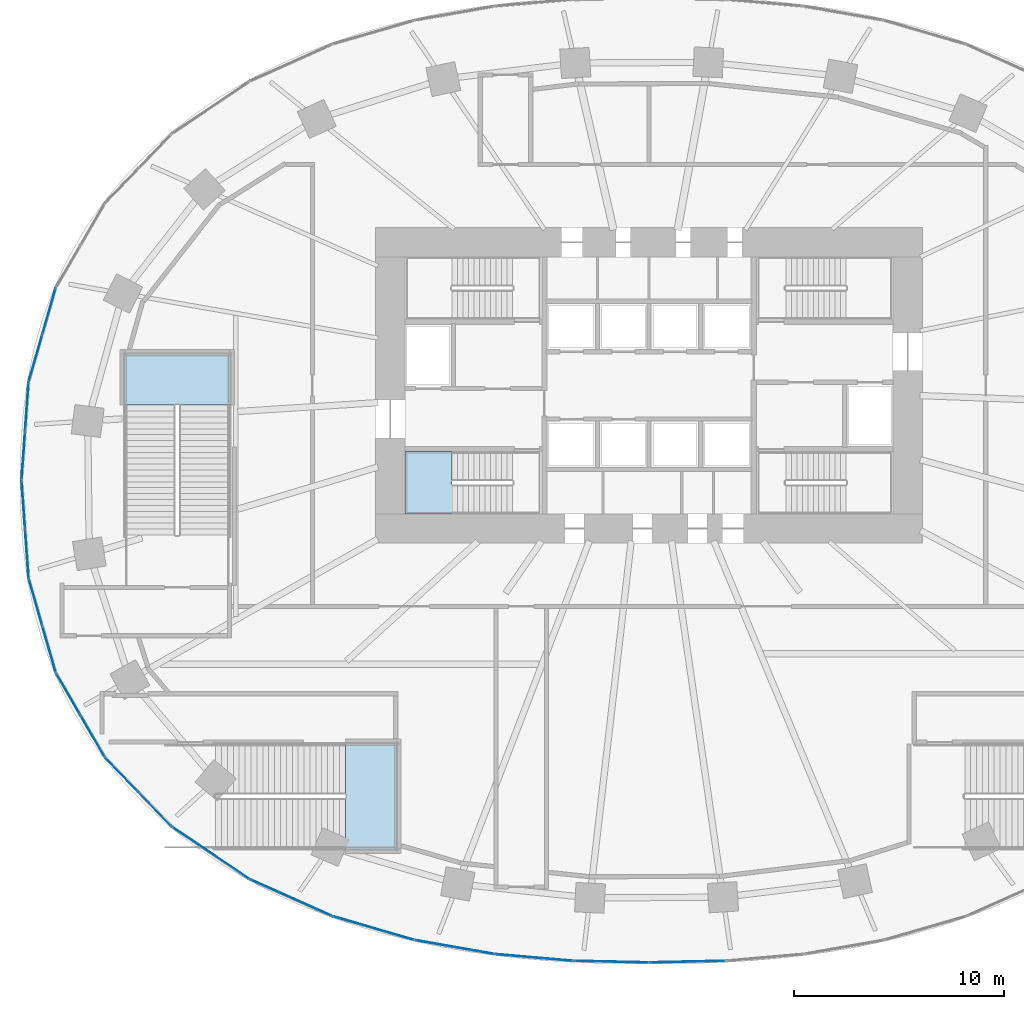
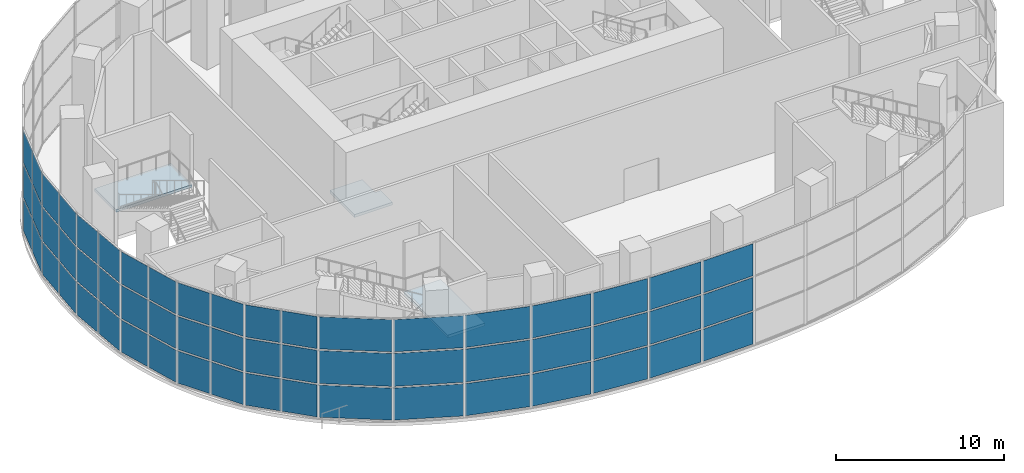
# One storey, part 10 of 22: 57 plates, 3 slabs, 16 elements without a shape of their own.
"""IFC4 building model written with IfcOpenShell, lengths in metres."""

from ifc_helpers import new_model, si_unit, direction, frame, origin, origin_2d, place, context, subcontext, project, spatial, polyline, rectangle, outline, extrude, material, layer, layer_set, type_object, element, aggregate, save


model = new_model("IFC4")

# Units and contexts
model_context = context("Model", 3, precision=1e-05, world=origin(), true_north=direction((0.0, 1.0)))
body_context = subcontext(model_context, "Body", "Model", "MODEL_VIEW")
ifc_project = project(units=[si_unit("LENGTHUNIT", "METRE"), si_unit("AREAUNIT", "SQUARE_METRE"), si_unit("VOLUMEUNIT", "CUBIC_METRE"), si_unit("PLANEANGLEUNIT", "RADIAN"), si_unit("MASSUNIT", "GRAM", prefix="KILO")], contexts=[model_context])

# Site, building, storey
site_placement = place(None, origin())
site = spatial("IfcSite", under=ifc_project, at=site_placement, CompositionType="ELEMENT")
building_placement = place(site_placement, origin())
building = spatial("IfcBuilding", under=site, at=building_placement, Name="Rubra Terraces Tower", CompositionType="ELEMENT")
storey_placement = place(building_placement, frame((0.0, 0.0, 15.0)))
storey = spatial("IfcBuildingStorey", under=building, at=storey_placement, Name="L02", CompositionType="ELEMENT", Elevation=15.0)

# Stair, slab
ifc_material_1 = material(Name="Concrete C40", Category="concrete")
stair_type_1 = type_object("IfcStairType", Name="Core stair 1400", PredefinedType="HALF_TURN_STAIR", material=ifc_material_1)
stair_1_placement = place(storey_placement, origin())
stair_1 = element("IfcStair", 1, at=stair_1_placement, inside=storey, type_object=stair_type_1, Name="L02 Exit stair S1", PredefinedType="HALF_TURN_STAIR")
ifc_layer_1 = layer(ifc_material_1, 0.199951171875)
ifc_layer_set_1 = layer_set([ifc_layer_1], Name="Concrete C40")
slab_type_1 = type_object("IfcSlabType", Name="Core stair landing 200", PredefinedType="LANDING", material=ifc_layer_set_1)
slab_1_placement = place(storey_placement, frame((0.0, 0.0, 1.75)))
slab_1 = element("IfcSlab", 2, at=slab_1_placement, type_object=slab_type_1, Name="S1 landing 1", PredefinedType="LANDING", context=body_context, shape_type="SweptSolid", body=[
    extrude(outline(polyline([(-8.97998046875, -0.199951171875), (-8.97998046875, -1.60009765625), (-9.360107421875, -1.60009765625), (-9.3798828125, -1.60009765625), (-11.60009765625, -1.60009765625), (-11.60009765625, 1.35009765625), (-9.3798828125, 1.35009765625), (-9.35791015625, 1.35009765625), (-9.35791015625, -0.050048828125), (-9.360107421875, -0.050048828125), (-9.360107421875, -0.199951171875), (-8.97998046875, -0.199951171875)])), origin(), (0.0, 0.0, 1.0), 0.199951171875),
])
aggregate(stair_1, [slab_1])

# Curtain wall, plates
ifc_material_2 = material(Name="Aluminium and glass", Category="aluminium")
curtain_wall_type = type_object("IfcCurtainWallType", Name="Curtain wall Podium glazing", PredefinedType="NOTDEFINED", material=ifc_material_2)
curtain_wall_1_placement = place(storey_placement, origin())
curtain_wall_1 = element("IfcCurtainWall", 3, at=curtain_wall_1_placement, inside=storey, type_object=curtain_wall_type, Name="L02 glazing bay 19", PredefinedType="NOTDEFINED")
ifc_material_3 = material(Name="Clear glass, laminated", Category="glass")
ifc_layer_2 = layer(ifc_material_3, 0.028076171875)
ifc_layer_set_2 = layer_set([ifc_layer_2], Name="Clear glass, laminated")
plate_type = type_object("IfcPlateType", Name="Podium glazing glass panel 28", PredefinedType="CURTAIN_PANEL", material=ifc_layer_set_2)
plate_1_placement = place(storey_placement, frame((-28.523681640625, 8.024169921875, 0.1201171875), z_axis=(0.0, 0.0, 1.0), x_axis=(-0.276383811798, -0.961047339404, 0.0)))
plate_1 = element("IfcPlate", 4, at=plate_1_placement, type_object=plate_type, Name="CW1 panel 1.1", PredefinedType="CURTAIN_PANEL", context=body_context, shape_type="SweptSolid", body=[
    extrude(rectangle(XDim=2.252685546875, YDim=0.028076171875, at=origin_2d()), origin(), (0.0, 0.0, 1.0), 2.336669921875),
])
plate_2_placement = place(storey_placement, frame((-28.523681640625, 8.024169921875, 2.57666015625), z_axis=(0.0, 0.0, 1.0), x_axis=(-0.276383811798, -0.961047339404, 0.0)))
plate_2 = element("IfcPlate", 5, at=plate_2_placement, type_object=plate_type, Name="CW1 panel 1.2", PredefinedType="CURTAIN_PANEL", context=body_context, shape_type="SweptSolid", body=[
    extrude(rectangle(XDim=2.252685546875, YDim=0.028076171875, at=origin_2d()), origin(), (0.0, 0.0, 1.0), 2.396484375),
])
plate_3_placement = place(storey_placement, frame((-28.523681640625, 8.024169921875, 5.09326171875), z_axis=(0.0, 0.0, 1.0), x_axis=(-0.276383811798, -0.961047339404, 0.0)))
plate_3 = element("IfcPlate", 6, at=plate_3_placement, type_object=plate_type, Name="CW1 panel 1.3", PredefinedType="CURTAIN_PANEL", context=body_context, shape_type="SweptSolid", body=[
    extrude(rectangle(XDim=2.252685546875, YDim=0.028076171875, at=origin_2d()), origin(), (0.0, 0.0, 1.0), 2.336669921875),
])
plate_4_placement = place(storey_placement, frame((-29.1630859375, 5.801513671875, 0.1201171875), z_axis=(0.0, 0.0, 1.0), x_axis=(-0.276383811798, -0.961047339404, 0.0)))
plate_4 = element("IfcPlate", 7, at=plate_4_placement, type_object=plate_type, Name="CW1 panel 2.1", PredefinedType="CURTAIN_PANEL", context=body_context, shape_type="SweptSolid", body=[
    extrude(rectangle(XDim=2.252685546875, YDim=0.028076171875, at=origin_2d()), origin(), (0.0, 0.0, 1.0), 2.336669921875),
])
plate_5_placement = place(storey_placement, frame((-29.1630859375, 5.801513671875, 2.57666015625), z_axis=(0.0, 0.0, 1.0), x_axis=(-0.276383811798, -0.961047339404, 0.0)))
plate_5 = element("IfcPlate", 8, at=plate_5_placement, type_object=plate_type, Name="CW1 panel 2.2", PredefinedType="CURTAIN_PANEL", context=body_context, shape_type="SweptSolid", body=[
    extrude(rectangle(XDim=2.252685546875, YDim=0.028076171875, at=origin_2d()), origin(), (0.0, 0.0, 1.0), 2.396484375),
])
plate_6_placement = place(storey_placement, frame((-29.1630859375, 5.801513671875, 5.09326171875), z_axis=(0.0, 0.0, 1.0), x_axis=(-0.276383811798, -0.961047339404, 0.0)))
plate_6 = element("IfcPlate", 9, at=plate_6_placement, type_object=plate_type, Name="CW1 panel 2.3", PredefinedType="CURTAIN_PANEL", context=body_context, shape_type="SweptSolid", body=[
    extrude(rectangle(XDim=2.252685546875, YDim=0.028076171875, at=origin_2d()), origin(), (0.0, 0.0, 1.0), 2.336669921875),
])
aggregate(curtain_wall_1, [plate_1, plate_2, plate_3, plate_4, plate_5, plate_6])

curtain_wall_2_placement = place(storey_placement, origin())
curtain_wall_2 = element("IfcCurtainWall", 10, at=curtain_wall_2_placement, inside=storey, type_object=curtain_wall_type, Name="L02 glazing bay 20", PredefinedType="NOTDEFINED")
plate_7_placement = place(storey_placement, frame((-29.573486328125, 3.4912109375, 0.1201171875), z_axis=(0.0, 0.0, 1.0), x_axis=(-0.071792057306, -0.997419621076, 0.0)))
plate_7 = element("IfcPlate", 11, at=plate_7_placement, type_object=plate_type, Name="CW1 panel 1.1", PredefinedType="CURTAIN_PANEL", context=body_context, shape_type="SweptSolid", body=[
    extrude(rectangle(XDim=2.257080078125, YDim=0.028076171875, at=origin_2d()), origin(), (0.0, 0.0, 1.0), 2.336669921875),
])
plate_8_placement = place(storey_placement, frame((-29.573486328125, 3.4912109375, 2.57666015625), z_axis=(0.0, 0.0, 1.0), x_axis=(-0.071792057306, -0.997419621076, 0.0)))
plate_8 = element("IfcPlate", 12, at=plate_8_placement, type_object=plate_type, Name="CW1 panel 1.2", PredefinedType="CURTAIN_PANEL", context=body_context, shape_type="SweptSolid", body=[
    extrude(rectangle(XDim=2.257080078125, YDim=0.028076171875, at=origin_2d()), origin(), (0.0, 0.0, 1.0), 2.396484375),
])
plate_9_placement = place(storey_placement, frame((-29.573486328125, 3.4912109375, 5.09326171875), z_axis=(0.0, 0.0, 1.0), x_axis=(-0.071792057306, -0.997419621076, 0.0)))
plate_9 = element("IfcPlate", 13, at=plate_9_placement, type_object=plate_type, Name="CW1 panel 1.3", PredefinedType="CURTAIN_PANEL", context=body_context, shape_type="SweptSolid", body=[
    extrude(rectangle(XDim=2.257080078125, YDim=0.028076171875, at=origin_2d()), origin(), (0.0, 0.0, 1.0), 2.336669921875),
])
plate_10_placement = place(storey_placement, frame((-29.739990234375, 1.18017578125, 0.1201171875), z_axis=(0.0, 0.0, 1.0), x_axis=(-0.071792057306, -0.997419621076, 0.0)))
plate_10 = element("IfcPlate", 14, at=plate_10_placement, type_object=plate_type, Name="CW1 panel 2.1", PredefinedType="CURTAIN_PANEL", context=body_context, shape_type="SweptSolid", body=[
    extrude(rectangle(XDim=2.257080078125, YDim=0.028076171875, at=origin_2d()), origin(), (0.0, 0.0, 1.0), 2.336669921875),
])
plate_11_placement = place(storey_placement, frame((-29.739990234375, 1.18017578125, 2.57666015625), z_axis=(0.0, 0.0, 1.0), x_axis=(-0.071792057306, -0.997419621076, 0.0)))
plate_11 = element("IfcPlate", 15, at=plate_11_placement, type_object=plate_type, Name="CW1 panel 2.2", PredefinedType="CURTAIN_PANEL", context=body_context, shape_type="SweptSolid", body=[
    extrude(rectangle(XDim=2.257080078125, YDim=0.028076171875, at=origin_2d()), origin(), (0.0, 0.0, 1.0), 2.396484375),
])
plate_12_placement = place(storey_placement, frame((-29.739990234375, 1.18017578125, 5.09326171875), z_axis=(0.0, 0.0, 1.0), x_axis=(-0.071792057306, -0.997419621076, 0.0)))
plate_12 = element("IfcPlate", 16, at=plate_12_placement, type_object=plate_type, Name="CW1 panel 2.3", PredefinedType="CURTAIN_PANEL", context=body_context, shape_type="SweptSolid", body=[
    extrude(rectangle(XDim=2.257080078125, YDim=0.028076171875, at=origin_2d()), origin(), (0.0, 0.0, 1.0), 2.336669921875),
])
aggregate(curtain_wall_2, [plate_7, plate_8, plate_9, plate_10, plate_11, plate_12])

curtain_wall_3_placement = place(storey_placement, origin())
curtain_wall_3 = element("IfcCurtainWall", 17, at=curtain_wall_3_placement, inside=storey, type_object=curtain_wall_type, Name="L02 glazing bay 21", PredefinedType="NOTDEFINED")
plate_13_placement = place(storey_placement, frame((-29.739990234375, -1.18017578125, 0.1201171875), z_axis=(0.0, 0.0, 1.0), x_axis=(0.071792057306, -0.997419621076, 0.0)))
plate_13 = element("IfcPlate", 18, at=plate_13_placement, type_object=plate_type, Name="CW1 panel 1.1", PredefinedType="CURTAIN_PANEL", context=body_context, shape_type="SweptSolid", body=[
    extrude(rectangle(XDim=2.257080078125, YDim=0.028076171875, at=origin_2d()), origin(), (0.0, 0.0, 1.0), 2.336669921875),
])
plate_14_placement = place(storey_placement, frame((-29.739990234375, -1.18017578125, 2.57666015625), z_axis=(0.0, 0.0, 1.0), x_axis=(0.071792057306, -0.997419621076, 0.0)))
plate_14 = element("IfcPlate", 19, at=plate_14_placement, type_object=plate_type, Name="CW1 panel 1.2", PredefinedType="CURTAIN_PANEL", context=body_context, shape_type="SweptSolid", body=[
    extrude(rectangle(XDim=2.257080078125, YDim=0.028076171875, at=origin_2d()), origin(), (0.0, 0.0, 1.0), 2.396484375),
])
plate_15_placement = place(storey_placement, frame((-29.739990234375, -1.18017578125, 5.09326171875), z_axis=(0.0, 0.0, 1.0), x_axis=(0.071792057306, -0.997419621076, 0.0)))
plate_15 = element("IfcPlate", 20, at=plate_15_placement, type_object=plate_type, Name="CW1 panel 1.3", PredefinedType="CURTAIN_PANEL", context=body_context, shape_type="SweptSolid", body=[
    extrude(rectangle(XDim=2.257080078125, YDim=0.028076171875, at=origin_2d()), origin(), (0.0, 0.0, 1.0), 2.336669921875),
])
plate_16_placement = place(storey_placement, frame((-29.573486328125, -3.4912109375, 0.1201171875), z_axis=(0.0, 0.0, 1.0), x_axis=(0.071792057306, -0.997419621076, 0.0)))
plate_16 = element("IfcPlate", 21, at=plate_16_placement, type_object=plate_type, Name="CW1 panel 2.1", PredefinedType="CURTAIN_PANEL", context=body_context, shape_type="SweptSolid", body=[
    extrude(rectangle(XDim=2.257080078125, YDim=0.028076171875, at=origin_2d()), origin(), (0.0, 0.0, 1.0), 2.336669921875),
])
plate_17_placement = place(storey_placement, frame((-29.573486328125, -3.4912109375, 2.57666015625), z_axis=(0.0, 0.0, 1.0), x_axis=(0.071792057306, -0.997419621076, 0.0)))
plate_17 = element("IfcPlate", 22, at=plate_17_placement, type_object=plate_type, Name="CW1 panel 2.2", PredefinedType="CURTAIN_PANEL", context=body_context, shape_type="SweptSolid", body=[
    extrude(rectangle(XDim=2.257080078125, YDim=0.028076171875, at=origin_2d()), origin(), (0.0, 0.0, 1.0), 2.396484375),
])
plate_18_placement = place(storey_placement, frame((-29.573486328125, -3.4912109375, 5.09326171875), z_axis=(0.0, 0.0, 1.0), x_axis=(0.071792057306, -0.997419621076, 0.0)))
plate_18 = element("IfcPlate", 23, at=plate_18_placement, type_object=plate_type, Name="CW1 panel 2.3", PredefinedType="CURTAIN_PANEL", context=body_context, shape_type="SweptSolid", body=[
    extrude(rectangle(XDim=2.257080078125, YDim=0.028076171875, at=origin_2d()), origin(), (0.0, 0.0, 1.0), 2.336669921875),
])
aggregate(curtain_wall_3, [plate_13, plate_14, plate_15, plate_16, plate_17, plate_18])

curtain_wall_4_placement = place(storey_placement, origin())
curtain_wall_4 = element("IfcCurtainWall", 24, at=curtain_wall_4_placement, inside=storey, type_object=curtain_wall_type, Name="L02 glazing bay 22", PredefinedType="NOTDEFINED")
plate_19_placement = place(storey_placement, frame((-29.1630859375, -5.801513671875, 0.1201171875), z_axis=(0.0, 0.0, 1.0), x_axis=(0.276383811798, -0.961047339404, 0.0)))
plate_19 = element("IfcPlate", 25, at=plate_19_placement, type_object=plate_type, Name="CW1 panel 1.1", PredefinedType="CURTAIN_PANEL", context=body_context, shape_type="SweptSolid", body=[
    extrude(rectangle(XDim=2.252685546875, YDim=0.028076171875, at=origin_2d()), origin(), (0.0, 0.0, 1.0), 2.336669921875),
])
plate_20_placement = place(storey_placement, frame((-29.1630859375, -5.801513671875, 2.57666015625), z_axis=(0.0, 0.0, 1.0), x_axis=(0.276383811798, -0.961047339404, 0.0)))
plate_20 = element("IfcPlate", 26, at=plate_20_placement, type_object=plate_type, Name="CW1 panel 1.2", PredefinedType="CURTAIN_PANEL", context=body_context, shape_type="SweptSolid", body=[
    extrude(rectangle(XDim=2.252685546875, YDim=0.028076171875, at=origin_2d()), origin(), (0.0, 0.0, 1.0), 2.396484375),
])
plate_21_placement = place(storey_placement, frame((-29.1630859375, -5.801513671875, 5.09326171875), z_axis=(0.0, 0.0, 1.0), x_axis=(0.276383811798, -0.961047339404, 0.0)))
plate_21 = element("IfcPlate", 27, at=plate_21_placement, type_object=plate_type, Name="CW1 panel 1.3", PredefinedType="CURTAIN_PANEL", context=body_context, shape_type="SweptSolid", body=[
    extrude(rectangle(XDim=2.252685546875, YDim=0.028076171875, at=origin_2d()), origin(), (0.0, 0.0, 1.0), 2.336669921875),
])
plate_22_placement = place(storey_placement, frame((-28.523681640625, -8.024169921875, 0.1201171875), z_axis=(0.0, 0.0, 1.0), x_axis=(0.276383811798, -0.961047339404, 0.0)))
plate_22 = element("IfcPlate", 28, at=plate_22_placement, type_object=plate_type, Name="CW1 panel 2.1", PredefinedType="CURTAIN_PANEL", context=body_context, shape_type="SweptSolid", body=[
    extrude(rectangle(XDim=2.252685546875, YDim=0.028076171875, at=origin_2d()), origin(), (0.0, 0.0, 1.0), 2.336669921875),
])
plate_23_placement = place(storey_placement, frame((-28.523681640625, -8.024169921875, 2.57666015625), z_axis=(0.0, 0.0, 1.0), x_axis=(0.276383811798, -0.961047339404, 0.0)))
plate_23 = element("IfcPlate", 29, at=plate_23_placement, type_object=plate_type, Name="CW1 panel 2.2", PredefinedType="CURTAIN_PANEL", context=body_context, shape_type="SweptSolid", body=[
    extrude(rectangle(XDim=2.252685546875, YDim=0.028076171875, at=origin_2d()), origin(), (0.0, 0.0, 1.0), 2.396484375),
])
plate_24_placement = place(storey_placement, frame((-28.523681640625, -8.024169921875, 5.09326171875), z_axis=(0.0, 0.0, 1.0), x_axis=(0.276383811798, -0.961047339404, 0.0)))
plate_24 = element("IfcPlate", 30, at=plate_24_placement, type_object=plate_type, Name="CW1 panel 2.3", PredefinedType="CURTAIN_PANEL", context=body_context, shape_type="SweptSolid", body=[
    extrude(rectangle(XDim=2.252685546875, YDim=0.028076171875, at=origin_2d()), origin(), (0.0, 0.0, 1.0), 2.336669921875),
])
aggregate(curtain_wall_4, [plate_19, plate_20, plate_21, plate_22, plate_23, plate_24])

curtain_wall_5_placement = place(storey_placement, origin())
curtain_wall_5 = element("IfcCurtainWall", 31, at=curtain_wall_5_placement, inside=storey, type_object=curtain_wall_type, Name="L02 glazing bay 23", PredefinedType="NOTDEFINED")
plate_25_placement = place(storey_placement, frame((-27.611083984375, -10.1669921875, 0.1201171875), z_axis=(0.0, 0.0, 1.0), x_axis=(0.502094070187, -0.864813011398, 0.0)))
plate_25 = element("IfcPlate", 32, at=plate_25_placement, type_object=plate_type, Name="CW1 panel 1.1", PredefinedType="CURTAIN_PANEL", context=body_context, shape_type="SweptSolid", body=[
    extrude(rectangle(XDim=2.23828125, YDim=0.028076171875, at=origin_2d()), origin(), (0.0, 0.0, 1.0), 2.336669921875),
])
plate_26_placement = place(storey_placement, frame((-27.611083984375, -10.1669921875, 2.57666015625), z_axis=(0.0, 0.0, 1.0), x_axis=(0.502094070187, -0.864813011398, 0.0)))
plate_26 = element("IfcPlate", 33, at=plate_26_placement, type_object=plate_type, Name="CW1 panel 1.2", PredefinedType="CURTAIN_PANEL", context=body_context, shape_type="SweptSolid", body=[
    extrude(rectangle(XDim=2.23828125, YDim=0.028076171875, at=origin_2d()), origin(), (0.0, 0.0, 1.0), 2.396484375),
])
plate_27_placement = place(storey_placement, frame((-27.611083984375, -10.1669921875, 5.09326171875), z_axis=(0.0, 0.0, 1.0), x_axis=(0.502094070187, -0.864813011398, 0.0)))
plate_27 = element("IfcPlate", 34, at=plate_27_placement, type_object=plate_type, Name="CW1 panel 1.3", PredefinedType="CURTAIN_PANEL", context=body_context, shape_type="SweptSolid", body=[
    extrude(rectangle(XDim=2.23828125, YDim=0.028076171875, at=origin_2d()), origin(), (0.0, 0.0, 1.0), 2.336669921875),
])
plate_28_placement = place(storey_placement, frame((-26.45703125, -12.154541015625, 0.1201171875), z_axis=(0.0, 0.0, 1.0), x_axis=(0.502094070187, -0.864813011398, 0.0)))
plate_28 = element("IfcPlate", 35, at=plate_28_placement, type_object=plate_type, Name="CW1 panel 2.1", PredefinedType="CURTAIN_PANEL", context=body_context, shape_type="SweptSolid", body=[
    extrude(rectangle(XDim=2.23828125, YDim=0.028076171875, at=origin_2d()), origin(), (0.0, 0.0, 1.0), 2.336669921875),
])
plate_29_placement = place(storey_placement, frame((-26.45703125, -12.154541015625, 2.57666015625), z_axis=(0.0, 0.0, 1.0), x_axis=(0.502094070187, -0.864813011398, 0.0)))
plate_29 = element("IfcPlate", 36, at=plate_29_placement, type_object=plate_type, Name="CW1 panel 2.2", PredefinedType="CURTAIN_PANEL", context=body_context, shape_type="SweptSolid", body=[
    extrude(rectangle(XDim=2.23828125, YDim=0.028076171875, at=origin_2d()), origin(), (0.0, 0.0, 1.0), 2.396484375),
])
plate_30_placement = place(storey_placement, frame((-26.45703125, -12.154541015625, 5.09326171875), z_axis=(0.0, 0.0, 1.0), x_axis=(0.502094070187, -0.864813011398, 0.0)))
plate_30 = element("IfcPlate", 37, at=plate_30_placement, type_object=plate_type, Name="CW1 panel 2.3", PredefinedType="CURTAIN_PANEL", context=body_context, shape_type="SweptSolid", body=[
    extrude(rectangle(XDim=2.23828125, YDim=0.028076171875, at=origin_2d()), origin(), (0.0, 0.0, 1.0), 2.336669921875),
])
aggregate(curtain_wall_5, [plate_25, plate_26, plate_27, plate_28, plate_29, plate_30])

curtain_wall_6_placement = place(storey_placement, origin())
curtain_wall_6 = element("IfcCurtainWall", 38, at=curtain_wall_6_placement, inside=storey, type_object=curtain_wall_type, Name="L02 glazing bay 24", PredefinedType="NOTDEFINED")
plate_31_placement = place(storey_placement, frame((-25.06787109375, -13.998046875, 0.1201171875), z_axis=(0.0, 0.0, 1.0), x_axis=(0.69415569917, -0.71982488517, 0.0)))
plate_31 = element("IfcPlate", 39, at=plate_31_placement, type_object=plate_type, Name="CW1 panel 1.1", PredefinedType="CURTAIN_PANEL", context=body_context, shape_type="SweptSolid", body=[
    extrude(rectangle(XDim=2.20849609375, YDim=0.028076171875, at=origin_2d()), origin(), (0.0, 0.0, 1.0), 2.336669921875),
])
plate_32_placement = place(storey_placement, frame((-25.06787109375, -13.998046875, 2.57666015625), z_axis=(0.0, 0.0, 1.0), x_axis=(0.69415569917, -0.71982488517, 0.0)))
plate_32 = element("IfcPlate", 40, at=plate_32_placement, type_object=plate_type, Name="CW1 panel 1.2", PredefinedType="CURTAIN_PANEL", context=body_context, shape_type="SweptSolid", body=[
    extrude(rectangle(XDim=2.20849609375, YDim=0.028076171875, at=origin_2d()), origin(), (0.0, 0.0, 1.0), 2.396484375),
])
plate_33_placement = place(storey_placement, frame((-25.06787109375, -13.998046875, 5.09326171875), z_axis=(0.0, 0.0, 1.0), x_axis=(0.69415569917, -0.71982488517, 0.0)))
plate_33 = element("IfcPlate", 41, at=plate_33_placement, type_object=plate_type, Name="CW1 panel 1.3", PredefinedType="CURTAIN_PANEL", context=body_context, shape_type="SweptSolid", body=[
    extrude(rectangle(XDim=2.20849609375, YDim=0.028076171875, at=origin_2d()), origin(), (0.0, 0.0, 1.0), 2.336669921875),
])
plate_34_placement = place(storey_placement, frame((-23.4931640625, -15.630859375, 0.1201171875), z_axis=(0.0, 0.0, 1.0), x_axis=(0.69415569917, -0.71982488517, 0.0)))
plate_34 = element("IfcPlate", 42, at=plate_34_placement, type_object=plate_type, Name="CW1 panel 2.1", PredefinedType="CURTAIN_PANEL", context=body_context, shape_type="SweptSolid", body=[
    extrude(rectangle(XDim=2.20849609375, YDim=0.028076171875, at=origin_2d()), origin(), (0.0, 0.0, 1.0), 2.336669921875),
])
plate_35_placement = place(storey_placement, frame((-23.4931640625, -15.630859375, 2.57666015625), z_axis=(0.0, 0.0, 1.0), x_axis=(0.69415569917, -0.71982488517, 0.0)))
plate_35 = element("IfcPlate", 43, at=plate_35_placement, type_object=plate_type, Name="CW1 panel 2.2", PredefinedType="CURTAIN_PANEL", context=body_context, shape_type="SweptSolid", body=[
    extrude(rectangle(XDim=2.20849609375, YDim=0.028076171875, at=origin_2d()), origin(), (0.0, 0.0, 1.0), 2.396484375),
])
plate_36_placement = place(storey_placement, frame((-23.4931640625, -15.630859375, 5.09326171875), z_axis=(0.0, 0.0, 1.0), x_axis=(0.69415569917, -0.71982488517, 0.0)))
plate_36 = element("IfcPlate", 44, at=plate_36_placement, type_object=plate_type, Name="CW1 panel 2.3", PredefinedType="CURTAIN_PANEL", context=body_context, shape_type="SweptSolid", body=[
    extrude(rectangle(XDim=2.20849609375, YDim=0.028076171875, at=origin_2d()), origin(), (0.0, 0.0, 1.0), 2.336669921875),
])
aggregate(curtain_wall_6, [plate_31, plate_32, plate_33, plate_34, plate_35, plate_36])

curtain_wall_7_placement = place(storey_placement, origin())
curtain_wall_7 = element("IfcCurtainWall", 45, at=curtain_wall_7_placement, inside=storey, type_object=curtain_wall_type, Name="L02 glazing bay 25", PredefinedType="NOTDEFINED")
plate_37_placement = place(storey_placement, frame((-20.840576171875, -17.711181640625, 0.1201171875), z_axis=(0.0, 0.0, 1.0), x_axis=(0.828980654031, -0.55927727939, 0.0)))
plate_37 = element("IfcPlate", 46, at=plate_37_placement, type_object=plate_type, Name="CW1 panel 1.1", PredefinedType="CURTAIN_PANEL", context=body_context, shape_type="SweptSolid", body=[
    extrude(rectangle(XDim=4.35888671875, YDim=0.028076171875, at=origin_2d()), origin(), (0.0, 0.0, 1.0), 2.336669921875),
])
plate_38_placement = place(storey_placement, frame((-20.840576171875, -17.711181640625, 2.57666015625), z_axis=(0.0, 0.0, 1.0), x_axis=(0.828980654031, -0.55927727939, 0.0)))
plate_38 = element("IfcPlate", 47, at=plate_38_placement, type_object=plate_type, Name="CW1 panel 1.2", PredefinedType="CURTAIN_PANEL", context=body_context, shape_type="SweptSolid", body=[
    extrude(rectangle(XDim=4.35888671875, YDim=0.028076171875, at=origin_2d()), origin(), (0.0, 0.0, 1.0), 2.396484375),
])
plate_39_placement = place(storey_placement, frame((-20.840576171875, -17.711181640625, 5.09326171875), z_axis=(0.0, 0.0, 1.0), x_axis=(0.828980654031, -0.55927727939, 0.0)))
plate_39 = element("IfcPlate", 48, at=plate_39_placement, type_object=plate_type, Name="CW1 panel 1.3", PredefinedType="CURTAIN_PANEL", context=body_context, shape_type="SweptSolid", body=[
    extrude(rectangle(XDim=4.35888671875, YDim=0.028076171875, at=origin_2d()), origin(), (0.0, 0.0, 1.0), 2.336669921875),
])
aggregate(curtain_wall_7, [plate_37, plate_38, plate_39])

curtain_wall_8_placement = place(storey_placement, origin())
curtain_wall_8 = element("IfcCurtainWall", 49, at=curtain_wall_8_placement, inside=storey, type_object=curtain_wall_type, Name="L02 glazing bay 26", PredefinedType="NOTDEFINED")
plate_40_placement = place(storey_placement, frame((-17.03271484375, -19.837158203125, 0.1201171875), z_axis=(0.0, 0.0, 1.0), x_axis=(0.912551215254, -0.4089624427, 0.0)))
plate_40 = element("IfcPlate", 50, at=plate_40_placement, type_object=plate_type, Name="CW1 panel 1.1", PredefinedType="CURTAIN_PANEL", context=body_context, shape_type="SweptSolid", body=[
    extrude(rectangle(XDim=4.18115234375, YDim=0.028076171875, at=origin_2d()), origin(), (0.0, 0.0, 1.0), 2.336669921875),
])
plate_41_placement = place(storey_placement, frame((-17.03271484375, -19.837158203125, 2.57666015625), z_axis=(0.0, 0.0, 1.0), x_axis=(0.912551215254, -0.4089624427, 0.0)))
plate_41 = element("IfcPlate", 51, at=plate_41_placement, type_object=plate_type, Name="CW1 panel 1.2", PredefinedType="CURTAIN_PANEL", context=body_context, shape_type="SweptSolid", body=[
    extrude(rectangle(XDim=4.18115234375, YDim=0.028076171875, at=origin_2d()), origin(), (0.0, 0.0, 1.0), 2.396484375),
])
plate_42_placement = place(storey_placement, frame((-17.03271484375, -19.837158203125, 5.09326171875), z_axis=(0.0, 0.0, 1.0), x_axis=(0.912551215254, -0.4089624427, 0.0)))
plate_42 = element("IfcPlate", 52, at=plate_42_placement, type_object=plate_type, Name="CW1 panel 1.3", PredefinedType="CURTAIN_PANEL", context=body_context, shape_type="SweptSolid", body=[
    extrude(rectangle(XDim=4.18115234375, YDim=0.028076171875, at=origin_2d()), origin(), (0.0, 0.0, 1.0), 2.336669921875),
])
aggregate(curtain_wall_8, [plate_40, plate_41, plate_42])

curtain_wall_9_placement = place(storey_placement, origin())
curtain_wall_9 = element("IfcCurtainWall", 53, at=curtain_wall_9_placement, inside=storey, type_object=curtain_wall_type, Name="L02 glazing bay 27", PredefinedType="NOTDEFINED")
plate_43_placement = place(storey_placement, frame((-13.115966796875, -21.284423828125, 0.1201171875), z_axis=(0.0, 0.0, 1.0), x_axis=(0.96017502931, -0.279399200229, 0.0)))
plate_43 = element("IfcPlate", 54, at=plate_43_placement, type_object=plate_type, Name="CW1 panel 1.1", PredefinedType="CURTAIN_PANEL", context=body_context, shape_type="SweptSolid", body=[
    extrude(rectangle(XDim=3.970947265625, YDim=0.028076171875, at=origin_2d()), origin(), (0.0, 0.0, 1.0), 2.336669921875),
])
plate_44_placement = place(storey_placement, frame((-13.115966796875, -21.284423828125, 2.57666015625), z_axis=(0.0, 0.0, 1.0), x_axis=(0.96017502931, -0.279399200229, 0.0)))
plate_44 = element("IfcPlate", 55, at=plate_44_placement, type_object=plate_type, Name="CW1 panel 1.2", PredefinedType="CURTAIN_PANEL", context=body_context, shape_type="SweptSolid", body=[
    extrude(rectangle(XDim=3.970947265625, YDim=0.028076171875, at=origin_2d()), origin(), (0.0, 0.0, 1.0), 2.396484375),
])
plate_45_placement = place(storey_placement, frame((-13.115966796875, -21.284423828125, 5.09326171875), z_axis=(0.0, 0.0, 1.0), x_axis=(0.96017502931, -0.279399200229, 0.0)))
plate_45 = element("IfcPlate", 56, at=plate_45_placement, type_object=plate_type, Name="CW1 panel 1.3", PredefinedType="CURTAIN_PANEL", context=body_context, shape_type="SweptSolid", body=[
    extrude(rectangle(XDim=3.970947265625, YDim=0.028076171875, at=origin_2d()), origin(), (0.0, 0.0, 1.0), 2.336669921875),
])
aggregate(curtain_wall_9, [plate_43, plate_44, plate_45])

curtain_wall_10_placement = place(storey_placement, origin())
curtain_wall_10 = element("IfcCurtainWall", 57, at=curtain_wall_10_placement, inside=storey, type_object=curtain_wall_type, Name="L02 glazing bay 28", PredefinedType="NOTDEFINED")
plate_46_placement = place(storey_placement, frame((-9.2451171875, -22.190185546875, 0.1201171875), z_axis=(0.0, 0.0, 1.0), x_axis=(0.984953952909, -0.172816985997, 0.0)))
plate_46 = element("IfcPlate", 58, at=plate_46_placement, type_object=plate_type, Name="CW1 panel 1.1", PredefinedType="CURTAIN_PANEL", context=body_context, shape_type="SweptSolid", body=[
    extrude(rectangle(XDim=3.7685546875, YDim=0.028076171875, at=origin_2d()), origin(), (0.0, 0.0, 1.0), 2.336669921875),
])
plate_47_placement = place(storey_placement, frame((-9.2451171875, -22.190185546875, 2.57666015625), z_axis=(0.0, 0.0, 1.0), x_axis=(0.984953952909, -0.172816985997, 0.0)))
plate_47 = element("IfcPlate", 59, at=plate_47_placement, type_object=plate_type, Name="CW1 panel 1.2", PredefinedType="CURTAIN_PANEL", context=body_context, shape_type="SweptSolid", body=[
    extrude(rectangle(XDim=3.7685546875, YDim=0.028076171875, at=origin_2d()), origin(), (0.0, 0.0, 1.0), 2.396484375),
])
plate_48_placement = place(storey_placement, frame((-9.2451171875, -22.190185546875, 5.09326171875), z_axis=(0.0, 0.0, 1.0), x_axis=(0.984953952909, -0.172816985997, 0.0)))
plate_48 = element("IfcPlate", 60, at=plate_48_placement, type_object=plate_type, Name="CW1 panel 1.3", PredefinedType="CURTAIN_PANEL", context=body_context, shape_type="SweptSolid", body=[
    extrude(rectangle(XDim=3.7685546875, YDim=0.028076171875, at=origin_2d()), origin(), (0.0, 0.0, 1.0), 2.336669921875),
])
aggregate(curtain_wall_10, [plate_46, plate_47, plate_48])

curtain_wall_11_placement = place(storey_placement, origin())
curtain_wall_11 = element("IfcCurtainWall", 61, at=curtain_wall_11_placement, inside=storey, type_object=curtain_wall_type, Name="L02 glazing bay 29", PredefinedType="NOTDEFINED")
plate_49_placement = place(storey_placement, frame((-5.47998046875, -22.686279296875, 0.1201171875), z_axis=(0.0, 0.0, 1.0), x_axis=(0.996260697637, -0.08639804595, 0.0)))
plate_49 = element("IfcPlate", 62, at=plate_49_placement, type_object=plate_type, Name="CW1 panel 1.1", PredefinedType="CURTAIN_PANEL", context=body_context, shape_type="SweptSolid", body=[
    extrude(rectangle(XDim=3.60693359375, YDim=0.028076171875, at=origin_2d()), origin(), (0.0, 0.0, 1.0), 2.336669921875),
])
plate_50_placement = place(storey_placement, frame((-5.47998046875, -22.686279296875, 2.57666015625), z_axis=(0.0, 0.0, 1.0), x_axis=(0.996260697637, -0.08639804595, 0.0)))
plate_50 = element("IfcPlate", 63, at=plate_50_placement, type_object=plate_type, Name="CW1 panel 1.2", PredefinedType="CURTAIN_PANEL", context=body_context, shape_type="SweptSolid", body=[
    extrude(rectangle(XDim=3.60693359375, YDim=0.028076171875, at=origin_2d()), origin(), (0.0, 0.0, 1.0), 2.396484375),
])
plate_51_placement = place(storey_placement, frame((-5.47998046875, -22.686279296875, 5.09326171875), z_axis=(0.0, 0.0, 1.0), x_axis=(0.996260697637, -0.08639804595, 0.0)))
plate_51 = element("IfcPlate", 64, at=plate_51_placement, type_object=plate_type, Name="CW1 panel 1.3", PredefinedType="CURTAIN_PANEL", context=body_context, shape_type="SweptSolid", body=[
    extrude(rectangle(XDim=3.60693359375, YDim=0.028076171875, at=origin_2d()), origin(), (0.0, 0.0, 1.0), 2.336669921875),
])
aggregate(curtain_wall_11, [plate_49, plate_50, plate_51])

curtain_wall_12_placement = place(storey_placement, origin())
curtain_wall_12 = element("IfcCurtainWall", 65, at=curtain_wall_12_placement, inside=storey, type_object=curtain_wall_type, Name="L02 glazing bay 30", PredefinedType="NOTDEFINED")
plate_52_placement = place(storey_placement, frame((-1.8134765625, -22.885986328125, 0.1201171875), z_axis=(0.0, 0.0, 1.0), x_axis=(0.999769221365, -0.021482644428, 0.0)))
plate_52 = element("IfcPlate", 66, at=plate_52_placement, type_object=plate_type, Name="CW1 panel 1.1", PredefinedType="CURTAIN_PANEL", context=body_context, shape_type="SweptSolid", body=[
    extrude(rectangle(XDim=3.5107421875, YDim=0.028076171875, at=origin_2d()), origin(), (0.0, 0.0, 1.0), 2.336669921875),
])
plate_53_placement = place(storey_placement, frame((-1.8134765625, -22.885986328125, 2.57666015625), z_axis=(0.0, 0.0, 1.0), x_axis=(0.999769221365, -0.021482644428, 0.0)))
plate_53 = element("IfcPlate", 67, at=plate_53_placement, type_object=plate_type, Name="CW1 panel 1.2", PredefinedType="CURTAIN_PANEL", context=body_context, shape_type="SweptSolid", body=[
    extrude(rectangle(XDim=3.5107421875, YDim=0.028076171875, at=origin_2d()), origin(), (0.0, 0.0, 1.0), 2.396484375),
])
plate_54_placement = place(storey_placement, frame((-1.8134765625, -22.885986328125, 5.09326171875), z_axis=(0.0, 0.0, 1.0), x_axis=(0.999769221365, -0.021482644428, 0.0)))
plate_54 = element("IfcPlate", 68, at=plate_54_placement, type_object=plate_type, Name="CW1 panel 1.3", PredefinedType="CURTAIN_PANEL", context=body_context, shape_type="SweptSolid", body=[
    extrude(rectangle(XDim=3.5107421875, YDim=0.028076171875, at=origin_2d()), origin(), (0.0, 0.0, 1.0), 2.336669921875),
])
aggregate(curtain_wall_12, [plate_52, plate_53, plate_54])

curtain_wall_13_placement = place(storey_placement, origin())
curtain_wall_13 = element("IfcCurtainWall", 69, at=curtain_wall_13_placement, inside=storey, type_object=curtain_wall_type, Name="L02 glazing bay 31", PredefinedType="NOTDEFINED")
plate_55_placement = place(storey_placement, frame((1.8134765625, -22.885986328125, 0.1201171875), z_axis=(0.0, 0.0, 1.0), x_axis=(0.999769221365, 0.021482644428, 0.0)))
plate_55 = element("IfcPlate", 70, at=plate_55_placement, type_object=plate_type, Name="CW1 panel 1.1", PredefinedType="CURTAIN_PANEL", context=body_context, shape_type="SweptSolid", body=[
    extrude(rectangle(XDim=3.5107421875, YDim=0.028076171875, at=origin_2d()), origin(), (0.0, 0.0, 1.0), 2.336669921875),
])
plate_56_placement = place(storey_placement, frame((1.8134765625, -22.885986328125, 2.57666015625), z_axis=(0.0, 0.0, 1.0), x_axis=(0.999769221365, 0.021482644428, 0.0)))
plate_56 = element("IfcPlate", 71, at=plate_56_placement, type_object=plate_type, Name="CW1 panel 1.2", PredefinedType="CURTAIN_PANEL", context=body_context, shape_type="SweptSolid", body=[
    extrude(rectangle(XDim=3.5107421875, YDim=0.028076171875, at=origin_2d()), origin(), (0.0, 0.0, 1.0), 2.396484375),
])
plate_57_placement = place(storey_placement, frame((1.8134765625, -22.885986328125, 5.09326171875), z_axis=(0.0, 0.0, 1.0), x_axis=(0.999769221365, 0.021482644428, 0.0)))
plate_57 = element("IfcPlate", 72, at=plate_57_placement, type_object=plate_type, Name="CW1 panel 1.3", PredefinedType="CURTAIN_PANEL", context=body_context, shape_type="SweptSolid", body=[
    extrude(rectangle(XDim=3.5107421875, YDim=0.028076171875, at=origin_2d()), origin(), (0.0, 0.0, 1.0), 2.336669921875),
])
aggregate(curtain_wall_13, [plate_55, plate_56, plate_57])

# Stair, slab
ifc_material_4 = material(Name="Concrete C40/50", Category="concrete")
stair_type_2 = type_object("IfcStairType", Name="Public stair", PredefinedType="HALF_TURN_STAIR", material=ifc_material_4)
stair_2_placement = place(storey_placement, origin())
stair_2 = element("IfcStair", 73, at=stair_2_placement, inside=storey, type_object=stair_type_2, Name="L02 public stair PS1", PredefinedType="HALF_TURN_STAIR")
ifc_layer_3 = layer(ifc_material_4, 0.199951171875)
ifc_layer_set_3 = layer_set([ifc_layer_3], Name="Concrete C40/50")
slab_type_2 = type_object("IfcSlabType", Name="Public stair landing 200", PredefinedType="LANDING", material=ifc_layer_set_3)
slab_2_placement = place(storey_placement, frame((0.0, 0.0, 3.699951171875)))
slab_2 = element("IfcSlab", 74, at=slab_2_placement, type_object=slab_type_2, Name="PS1 landing 1", PredefinedType="LANDING", context=body_context, shape_type="SweptSolid", body=[
    extrude(outline(polyline([(-25.050048828125, 3.56005859375), (-19.800048828125, 3.56005859375), (-19.800048828125, 6.110107421875), (-25.050048828125, 6.110107421875), (-25.050048828125, 3.56005859375)])), origin(), (0.0, 0.0, 1.0), 0.199951171875),
])
aggregate(stair_2, [slab_2])

stair_3_placement = place(storey_placement, origin())
stair_3 = element("IfcStair", 75, at=stair_3_placement, inside=storey, type_object=stair_type_2, Name="L02 public stair PS3", PredefinedType="HALF_TURN_STAIR")
slab_3_placement = place(storey_placement, frame((0.0, 0.0, 3.699951171875)))
slab_3 = element("IfcSlab", 76, at=slab_3_placement, type_object=slab_type_2, Name="PS3 landing 1", PredefinedType="LANDING", context=body_context, shape_type="SweptSolid", body=[
    extrude(outline(polyline([(-14.43994140625, -17.64990234375), (-11.889892578125, -17.64990234375), (-11.889892578125, -12.39990234375), (-14.43994140625, -12.39990234375), (-14.43994140625, -17.64990234375)])), origin(), (0.0, 0.0, 1.0), 0.199951171875),
])
aggregate(stair_3, [slab_3])

save(model, "model.ifc")
